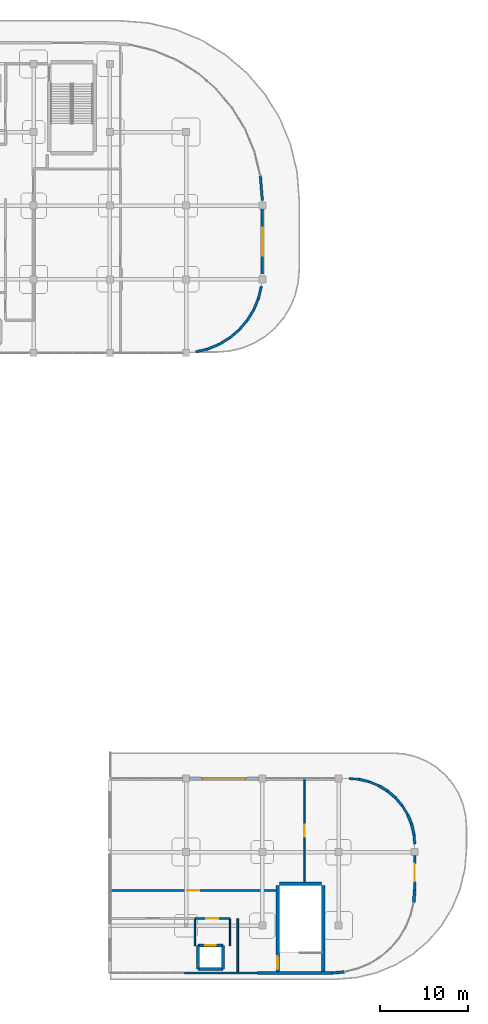
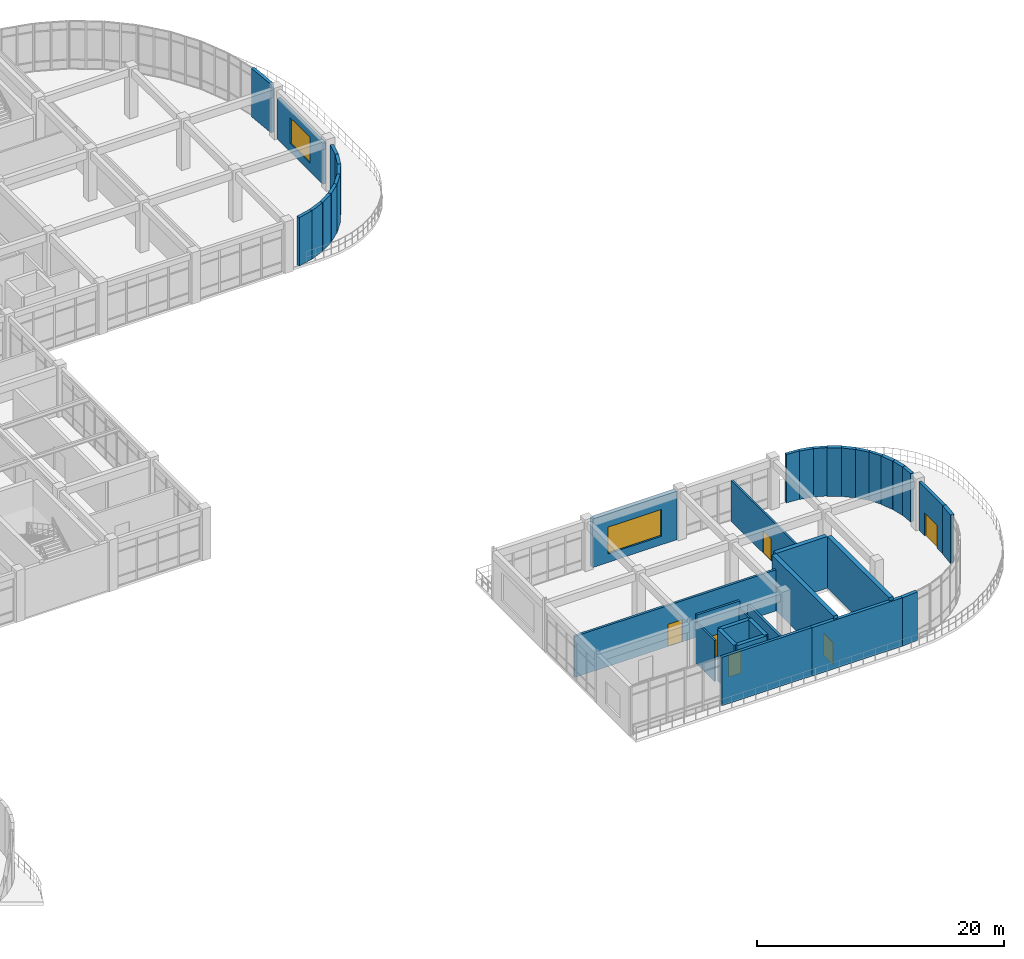
# One storey, part 84 of 96: 39 walls, 6 doors, 2 windows, 8 openings.
"""IFC4 building model written with IfcOpenShell, lengths in metres."""

from ifc_helpers import new_model, si_unit, derived_unit, direction, frame, frame_2d, origin, place, context, subcontext, project, spatial, rectangle, extrude, material, layer, layer_set, type_object, element, fill, save


model = new_model("IFC4")

# Units and contexts
model_context = context("Model", 3, precision=1e-05, world=origin(), true_north=direction((0.0, 1.0)))
body_context = subcontext(model_context, "Body", "Model", "MODEL_VIEW")
ifc_project = project(units=[si_unit("LENGTHUNIT", "METRE"), si_unit("AREAUNIT", "SQUARE_METRE"), si_unit("VOLUMEUNIT", "CUBIC_METRE"), si_unit("PLANEANGLEUNIT", "RADIAN"), si_unit("MASSUNIT", "GRAM", prefix="KILO"), derived_unit("THERMALTRANSMITTANCEUNIT", [(si_unit("MASSUNIT", "GRAM", prefix="KILO"), 1), (si_unit("TIMEUNIT", "SECOND"), -3), (si_unit("THERMODYNAMICTEMPERATUREUNIT", "KELVIN"), -1)])], contexts=[model_context])

# Site, building, storey
site_placement = place(None, origin())
site = spatial("IfcSite", under=ifc_project, at=site_placement, CompositionType="ELEMENT")
building_placement = place(site_placement, origin())
building = spatial("IfcBuilding", under=site, at=building_placement, Name="Qinzheling Arcade Emporium", CompositionType="ELEMENT")
storey_placement = place(building_placement, frame((0.0, 0.0, 21.60009765625)))
storey = spatial("IfcBuildingStorey", under=building, at=storey_placement, Name="L05", CompositionType="ELEMENT", Elevation=21.60009765625)

# Wall, opening, door
ifc_material_1 = material(Name="Double-stud acoustic gypsum board partition")
ifc_layer_1 = layer(ifc_material_1, 0.215087890625, Name="Double-stud acoustic gypsum board partition")
ifc_layer_set_1 = layer_set([ifc_layer_1], Name="Double-stud acoustic gypsum board partition")
wall_type_1 = type_object("IfcWallType", Name="Acoustic Corridor Partition Wall 215", PredefinedType="PARTITIONING", material=ifc_layer_set_1)
wall_1_placement = place(storey_placement, frame((131.5, 9.199951171875, 0.0), z_axis=(0.0, 0.0, 1.0), x_axis=(1.0, 0.0, 0.0)))
wall_1 = element("IfcWall", 1, at=wall_1_placement, inside=storey, type_object=wall_type_1, Name="Interior Wall WL-L05-INT-0703", PredefinedType="PARTITIONING", context=body_context, shape_type="SweptSolid", body=[
    extrude(rectangle(XDim=4.0, YDim=0.215087890625, at=frame_2d((2.0, 0.0))), origin(), (0.0, 0.0, 1.0), 4.760009765625),
])
opening_1_placement = place(wall_1_placement, frame((1.324951171875, 0.0, 0.0)))
opening_1 = element("IfcOpeningElement", 2, at=opening_1_placement, cuts=wall_1, Name="Opening FD05", PredefinedType="OPENING", context=body_context, shape_type="SweptSolid", body=[
    extrude(rectangle(XDim=1.35009765625, YDim=2.199951171875, at=frame_2d((0.675048828125, 1.10009765625))), frame((0.0, 0.11767578125, 0.0), z_axis=(0.0, -1.0, 0.0), x_axis=(1.0, 0.0, 0.0)), (0.0, 0.0, 1.0), 0.235107421875),
])
ifc_material_2 = material(Name="Class B fire-rated stainless-clad door")
door_type_1 = type_object("IfcDoorType", Name="Kitchen Fire-Rated Service Door 1350x2200", OperationType="NOTDEFINED", PredefinedType="DOOR", material=ifc_material_2)
door_1_placement = place(opening_1_placement, origin())
door_1 = element("IfcDoor", 3, at=door_1_placement, inside=storey, type_object=door_type_1, Name="FD05 Interior Door DR-L05-INT-0199", OperationType="SINGLE_SWING_RIGHT", OverallHeight=2.199951171875, OverallWidth=1.35009765625, PredefinedType="DOOR", context=body_context, shape_type="SweptSolid", body=[
    extrude(rectangle(XDim=1.35009765625, YDim=2.199951171875, at=frame_2d((0.675048828125, 1.10009765625))), frame((0.0, 0.02490234375, 0.0), z_axis=(0.0, -1.0, 0.0), x_axis=(1.0, 0.0, 0.0)), (0.0, 0.0, 1.0), 0.050048828125),
])
fill(opening_1, door_1)

wall_2_placement = place(storey_placement, frame((121.89990234375, 12.39990234375, 0.0), z_axis=(0.0, 0.0, 1.0), x_axis=(1.0, 0.0, 0.0)))
wall_2 = element("IfcWall", 4, at=wall_2_placement, inside=storey, type_object=wall_type_1, Name="Interior Wall WL-L05-INT-0724", PredefinedType="PARTITIONING", context=body_context, shape_type="SweptSolid", body=[
    extrude(rectangle(XDim=18.85009765625, YDim=0.215087890625, at=frame_2d((9.425048828125, 0.0))), origin(), (0.0, 0.0, 1.0), 4.059814453125),
])
opening_2_placement = place(wall_2_placement, frame((8.75, 0.0, 0.0)))
opening_2 = element("IfcOpeningElement", 5, at=opening_2_placement, cuts=wall_2, Name="Opening FD05", PredefinedType="OPENING", context=body_context, shape_type="SweptSolid", body=[
    extrude(rectangle(XDim=1.35009765625, YDim=2.199951171875, at=frame_2d((0.675048828125, 1.10009765625))), frame((0.0, 0.11767578125, 0.0), z_axis=(0.0, -1.0, 0.0), x_axis=(1.0, 0.0, 0.0)), (0.0, 0.0, 1.0), 0.235107421875),
])
door_2_placement = place(opening_2_placement, origin())
door_2 = element("IfcDoor", 6, at=door_2_placement, inside=storey, type_object=door_type_1, Name="FD05 Interior Door DR-L05-INT-0219", OperationType="SINGLE_SWING_RIGHT", OverallHeight=2.199951171875, OverallWidth=1.35009765625, PredefinedType="DOOR", context=body_context, shape_type="SweptSolid", body=[
    extrude(rectangle(XDim=1.35009765625, YDim=2.199951171875, at=frame_2d((0.675048828125, 1.10009765625))), frame((0.0, 0.02490234375, 0.0), z_axis=(0.0, -1.0, 0.0), x_axis=(1.0, 0.0, 0.0)), (0.0, 0.0, 1.0), 0.050048828125),
])
fill(opening_2, door_2)

# Walls
wall_3_placement = place(storey_placement, frame((136.39990234375, 3.135009765625, 0.0), z_axis=(0.0, 0.0, 1.0), x_axis=(0.0, 1.0, 0.0)))
element("IfcWall", 7, at=wall_3_placement, inside=storey, type_object=wall_type_1, Name="Interior Wall WL-L05-INT-0726", PredefinedType="PARTITIONING", context=body_context, shape_type="SweptSolid", body=[
    extrude(rectangle(XDim=6.06494140625, YDim=0.215087890625, at=frame_2d((3.032470703125, 0.0))), origin(), (0.0, 0.0, 1.0), 4.059814453125),
])
ifc_material_3 = material(Name="Insulated aluminium-clad spandrel wall", Category="aluminium")
ifc_layer_2 = layer(ifc_material_3, 0.260009765625, Name="Insulated aluminium-clad spandrel wall", Category="aluminium")
ifc_layer_set_2 = layer_set([ifc_layer_2], Name="Insulated aluminium-clad spandrel wall")
wall_type_2 = type_object("IfcWallType", Name="Arcade Clerestory Spandrel Wall 260", PredefinedType="STANDARD", material=ifc_layer_set_2)
wall_4_placement = place(storey_placement, frame((151.41796875, 24.8330078125, 0.0), z_axis=(0.0, 0.0, 1.0), x_axis=(0.923958668987, -0.382492324111, 0.0)))
element("IfcWall", 8, at=wall_4_placement, inside=storey, type_object=wall_type_2, Name="Exterior Wall WL-L05-EW-0247", PredefinedType="STANDARD", context=body_context, shape_type="SweptSolid", body=[
    extrude(rectangle(XDim=1.17626953125, YDim=0.260009765625, at=frame_2d((0.588134765625, 0.0))), origin(), (0.0, 0.0, 1.0), 4.789794921875),
])
wall_5_placement = place(storey_placement, frame((155.16796875, 22.10791015625, 0.0), z_axis=(0.0, 0.0, 1.0), x_axis=(0.522742095508, -0.852490880646, 0.0)))
element("IfcWall", 9, at=wall_5_placement, inside=storey, type_object=wall_type_2, Name="Exterior Wall WL-L05-EW-0251", PredefinedType="STANDARD", context=body_context, shape_type="SweptSolid", body=[
    extrude(rectangle(XDim=1.176513671875, YDim=0.260009765625, at=frame_2d((0.58837890625, 0.0))), origin(), (0.0, 0.0, 1.0), 4.789794921875),
])

# Wall, opening, door
wall_6_placement = place(storey_placement, frame((156.60009765625, 16.39794921875, 0.0), z_axis=(0.0, 0.0, 1.0), x_axis=(0.0, -1.0, 0.0)))
wall_6 = element("IfcWall", 10, at=wall_6_placement, inside=storey, type_object=wall_type_2, Name="Exterior Wall WL-L05-EW-0255", PredefinedType="STANDARD", context=body_context, shape_type="SweptSolid", body=[
    extrude(rectangle(XDim=3.89794921875, YDim=0.260009765625, at=frame_2d((1.948974609375, 0.0))), origin(), (0.0, 0.0, 1.0), 4.789794921875),
])
opening_3_placement = place(wall_6_placement, frame((0.948974609375, 0.0, 0.0)))
opening_3 = element("IfcOpeningElement", 11, at=opening_3_placement, cuts=wall_6, Name="Opening TD02", PredefinedType="OPENING", context=body_context, shape_type="SweptSolid", body=[
    extrude(rectangle(XDim=2.0, YDim=2.25, at=frame_2d((1.0, 1.125))), frame((0.0, 0.14013671875, 0.0), z_axis=(0.0, -1.0, 0.0), x_axis=(1.0, 0.0, 0.0)), (0.0, 0.0, 1.0), 0.280029296875),
])
ifc_material_4 = material(Name="Thermally broken aluminium and double glass", Category="aluminium")
door_type_2 = type_object("IfcDoorType", Name="Food Hall Terrace Double Door 2000x2250", OperationType="DOUBLE_DOOR_SINGLE_SWING", PredefinedType="DOOR", material=ifc_material_4)
door_3_placement = place(opening_3_placement, origin())
door_3 = element("IfcDoor", 12, at=door_3_placement, inside=storey, type_object=door_type_2, Name="TD02 Exterior Door DR-L05-EXT-036", OperationType="DOUBLE_DOOR_SINGLE_SWING", OverallHeight=2.25, OverallWidth=2.0, PredefinedType="DOOR", context=body_context, shape_type="SweptSolid", body=[
    extrude(rectangle(XDim=2.0, YDim=2.25, at=frame_2d((1.0, 1.125))), frame((0.0, 0.02490234375, 0.0), z_axis=(0.0, -1.0, 0.0), x_axis=(1.0, 0.0, 0.0)), (0.0, 0.0, 1.0), 0.050048828125),
])
fill(opening_3, door_3)

# Walls
wall_7_placement = place(storey_placement, frame((138.6650390625, 3.0, 0.0), z_axis=(0.0, 0.0, 1.0), x_axis=(-1.0, 0.0, 0.0)))
element("IfcWall", 13, at=wall_7_placement, inside=storey, type_object=wall_type_2, Name="Exterior Wall WL-L05-EW-0259", PredefinedType="STANDARD", context=body_context, shape_type="SweptSolid", body=[
    extrude(rectangle(XDim=8.429931640625, YDim=0.260009765625, at=frame_2d((4.21484375, 0.0))), origin(), (0.0, 0.0, 1.0), 4.789794921875),
])
wall_8_placement = place(storey_placement, frame((149.10009765625, 25.199951171875, 0.0), z_axis=(0.0, 0.0, 1.0), x_axis=(0.996934887725, -0.078235731197, 0.0)))
element("IfcWall", 14, at=wall_8_placement, inside=storey, type_object=wall_type_2, Name="Exterior Wall WL-L05-EW-0263", PredefinedType="STANDARD", context=body_context, shape_type="SweptSolid", body=[
    extrude(rectangle(XDim=1.176513671875, YDim=0.260009765625, at=frame_2d((0.58837890625, 0.0))), origin(), (0.0, 0.0, 1.0), 4.789794921875),
])
ifc_material_5 = material(Name="Lightweight atelier partition")
ifc_layer_3 = layer(ifc_material_5, 0.14990234375, Name="Lightweight atelier partition")
ifc_layer_set_3 = layer_set([ifc_layer_3], Name="Lightweight atelier partition")
wall_type_3 = type_object("IfcWallType", Name="Atelier Partition Wall 150", PredefinedType="PARTITIONING", material=ifc_layer_set_3)
wall_9_placement = place(storey_placement, frame((135.5, 9.199951171875, 0.0), z_axis=(0.0, 0.0, 1.0), x_axis=(0.0, -1.0, 0.0)))
element("IfcWall", 15, at=wall_9_placement, inside=storey, type_object=wall_type_3, Name="Interior Wall WL-L05-INT-0705", PredefinedType="PARTITIONING", context=body_context, shape_type="SweptSolid", body=[
    extrude(rectangle(XDim=3.070068359375, YDim=0.14990234375, at=frame_2d((1.53515625, 0.0))), origin(), (0.0, 0.0, 1.0), 4.059814453125),
])
ifc_material_6 = material(Name="Celadon glazed terracotta insulated spandrel", Category="masonry")
ifc_layer_4 = layer(ifc_material_6, 0.340087890625, Name="Celadon glazed terracotta insulated spandrel", Category="masonry")
ifc_layer_set_4 = layer_set([ifc_layer_4], Name="Celadon glazed terracotta insulated spandrel")
wall_type_4 = type_object("IfcWallType", Name="Celadon Spandrel Infill Wall 340", PredefinedType="STANDARD", material=ifc_layer_set_4)
wall_10_placement = place(storey_placement, frame((152.5048828125, 24.383056640625, 0.0), z_axis=(0.0, 0.0, 1.0), x_axis=(0.852547572286, -0.522649631197, 0.0)))
element("IfcWall", 16, at=wall_10_placement, inside=storey, type_object=wall_type_4, Name="Exterior Wall WL-L05-EW-0248", PredefinedType="STANDARD", context=body_context, shape_type="SweptSolid", body=[
    extrude(rectangle(XDim=1.1767578125, YDim=0.340087890625, at=frame_2d((0.58837890625, 0.0))), origin(), (0.0, 0.0, 1.0), 4.789794921875),
])
wall_11_placement = place(storey_placement, frame((155.782958984375, 21.10498046875, 0.0), z_axis=(0.0, 0.0, 1.0), x_axis=(0.382492324111, -0.923958668987, 0.0)))
element("IfcWall", 17, at=wall_11_placement, inside=storey, type_object=wall_type_4, Name="Exterior Wall WL-L05-EW-0252", PredefinedType="STANDARD", context=body_context, shape_type="SweptSolid", body=[
    extrude(rectangle(XDim=1.17626953125, YDim=0.340087890625, at=frame_2d((0.588134765625, 0.0))), origin(), (0.0, 0.0, 1.0), 4.789794921875),
])
wall_12_placement = place(storey_placement, frame((156.60009765625, 12.5, 0.0), z_axis=(0.0, 0.0, 1.0), x_axis=(-0.078612537857, -0.996905245694, 0.0)))
element("IfcWall", 18, at=wall_12_placement, inside=storey, type_object=wall_type_4, Name="Exterior Wall WL-L05-EW-0256", PredefinedType="STANDARD", context=body_context, shape_type="SweptSolid", body=[
    extrude(rectangle(XDim=1.49072265625, YDim=0.340087890625, at=frame_2d((0.745361328125, 0.0))), origin(), (0.0, 0.0, 1.0), 4.789794921875),
])
ifc_material_7 = material(Name="Glazed cream terracotta insulated wall", Category="masonry")
ifc_layer_5 = layer(ifc_material_7, 0.320068359375, Name="Glazed cream terracotta insulated wall", Category="masonry")
ifc_layer_set_5 = layer_set([ifc_layer_5], Name="Glazed cream terracotta insulated wall")
wall_type_5 = type_object("IfcWallType", Name="Chicago Frame Infill Wall 320", PredefinedType="STANDARD", material=ifc_layer_set_5)
wall_13_placement = place(storey_placement, frame((153.508056640625, 23.76806640625, 0.0), z_axis=(0.0, 0.0, 1.0), x_axis=(0.760104826794, -0.649800471133, 0.0)))
element("IfcWall", 19, at=wall_13_placement, inside=storey, type_object=wall_type_5, Name="Exterior Wall WL-L05-EW-0249", PredefinedType="STANDARD", context=body_context, shape_type="SweptSolid", body=[
    extrude(rectangle(XDim=1.177490234375, YDim=0.320068359375, at=frame_2d((0.5888671875, 0.0))), origin(), (0.0, 0.0, 1.0), 4.789794921875),
])
wall_14_placement = place(storey_placement, frame((156.23291015625, 20.01806640625, 0.0), z_axis=(0.0, 0.0, 1.0), x_axis=(0.233647380769, -0.972321398232, 0.0)))
element("IfcWall", 20, at=wall_14_placement, inside=storey, type_object=wall_type_5, Name="Exterior Wall WL-L05-EW-0253", PredefinedType="STANDARD", context=body_context, shape_type="SweptSolid", body=[
    extrude(rectangle(XDim=1.177734375, YDim=0.320068359375, at=frame_2d((0.5888671875, 0.0))), origin(), (0.0, 0.0, 1.0), 4.789794921875),
])
wall_15_placement = place(storey_placement, frame((148.5859375, 3.116943359375, 0.0), z_axis=(0.0, 0.0, 1.0), x_axis=(-0.996917059385, -0.078462581572, 0.0)))
element("IfcWall", 21, at=wall_15_placement, inside=storey, type_object=wall_type_5, Name="Exterior Wall WL-L05-EW-0257", PredefinedType="STANDARD", context=body_context, shape_type="SweptSolid", body=[
    extrude(rectangle(XDim=1.490478515625, YDim=0.320068359375, at=frame_2d((0.7451171875, 0.0))), origin(), (0.0, 0.0, 1.0), 4.789794921875),
])

# Wall, opening, window
ifc_material_8 = material(Name="Glazed cream terracotta on Concrete C40", Category="masonry")
ifc_layer_6 = layer(ifc_material_8, 0.3798828125, Name="Glazed cream terracotta on Concrete C40", Category="masonry")
ifc_layer_set_6 = layer_set([ifc_layer_6], Name="Glazed cream terracotta on Concrete C40")
wall_type_6 = type_object("IfcWallType", Name="Glazed Cream Terracotta Structural Wall 380", PredefinedType="STANDARD", material=ifc_layer_set_6)
wall_16_placement = place(storey_placement, frame((130.902099609375, 25.199951171875, 0.0), z_axis=(0.0, 0.0, 1.0), x_axis=(1.0, 0.0, 0.0)))
wall_16 = element("IfcWall", 22, at=wall_16_placement, inside=storey, type_object=wall_type_6, Name="Exterior Wall WL-L05-EW-0262", PredefinedType="STANDARD", context=body_context, shape_type="SweptSolid", body=[
    extrude(rectangle(XDim=7.89599609375, YDim=0.3798828125, at=frame_2d((3.947998046875, 0.0))), origin(), (0.0, 0.0, 1.0), 4.789794921875),
])
opening_4_placement = place(wall_16_placement, frame((1.447998046875, 0.0, 0.85009765625)))
opening_4 = element("IfcOpeningElement", 23, at=opening_4_placement, cuts=wall_16, Name="Opening WN03", PredefinedType="OPENING", context=body_context, shape_type="SweptSolid", body=[
    extrude(rectangle(XDim=5.0, YDim=2.64990234375, at=frame_2d((2.5, 1.324951171875))), frame((0.0, 0.199951171875, 0.0), z_axis=(0.0, -1.0, 0.0), x_axis=(1.0, 0.0, 0.0)), (0.0, 0.0, 1.0), 0.39990234375),
])
ifc_material_9 = material(Name="Thermally broken aluminium frame with solar-control double glazing", Category="aluminium")
window_type_1 = type_object("IfcWindowType", Name="Chicago Tripartite Window 5000x2650", PartitioningType="TRIPLE_PANEL_VERTICAL", PredefinedType="WINDOW", material=ifc_material_9)
window_1_placement = place(opening_4_placement, origin())
window_1 = element("IfcWindow", 24, at=window_1_placement, inside=storey, type_object=window_type_1, Name="WN03 Window WN-L05-0068", OverallHeight=2.64990234375, OverallWidth=5.0, PartitioningType="TRIPLE_PANEL_VERTICAL", PredefinedType="WINDOW", context=body_context, shape_type="SweptSolid", body=[
    extrude(rectangle(XDim=5.0, YDim=2.64990234375, at=frame_2d((2.5, 1.324951171875))), frame((0.0, 0.030029296875, 0.0), z_axis=(0.0, -1.0, 0.0), x_axis=(1.0, 0.0, 0.0)), (0.0, 0.0, 1.0), 0.06005859375),
])
fill(opening_4, window_1)

# Wall, opening, door
ifc_material_10 = material(Name="Fire-rated calcium silicate shaft wall")
ifc_layer_7 = layer(ifc_material_10, 0.169921875, Name="Fire-rated calcium silicate shaft wall")
ifc_layer_set_7 = layer_set([ifc_layer_7], Name="Fire-rated calcium silicate shaft wall")
wall_type_7 = type_object("IfcWallType", Name="Kitchen Exhaust Riser Shaft Wall 170", PredefinedType="MOVABLE", material=ifc_layer_set_7)
wall_17_placement = place(storey_placement, frame((144.0, 25.10009765625, 0.0), z_axis=(0.0, 0.0, 1.0), x_axis=(0.0, -1.0, 0.0)))
wall_17 = element("IfcWall", 25, at=wall_17_placement, inside=storey, type_object=wall_type_7, Name="Interior Wall WL-L05-INT-0784", PredefinedType="MOVABLE", context=body_context, shape_type="SweptSolid", body=[
    extrude(rectangle(XDim=11.695068359375, YDim=0.169921875, at=frame_2d((5.84765625, 0.0))), origin(), (0.0, 0.0, 1.0), 4.059814453125),
])
opening_5_placement = place(wall_17_placement, frame((5.173095703125, 0.0, 0.0)))
opening_5 = element("IfcOpeningElement", 26, at=opening_5_placement, cuts=wall_17, Name="Opening FD05", PredefinedType="OPENING", context=body_context, shape_type="SweptSolid", body=[
    extrude(rectangle(XDim=1.35009765625, YDim=2.199951171875, at=frame_2d((0.675048828125, 1.10009765625))), frame((0.0, 0.094970703125, 0.0), z_axis=(0.0, -1.0, 0.0), x_axis=(1.0, 0.0, 0.0)), (0.0, 0.0, 1.0), 0.18994140625),
])
door_4_placement = place(opening_5_placement, origin())
door_4 = element("IfcDoor", 27, at=door_4_placement, inside=storey, type_object=door_type_1, Name="FD05 Interior Door DR-L05-INT-0221", OperationType="SINGLE_SWING_RIGHT", OverallHeight=2.199951171875, OverallWidth=1.35009765625, PredefinedType="DOOR", context=body_context, shape_type="SweptSolid", body=[
    extrude(rectangle(XDim=1.35009765625, YDim=2.199951171875, at=frame_2d((0.675048828125, 1.10009765625))), frame((0.0, 0.02490234375, 0.0), z_axis=(0.0, -1.0, 0.0), x_axis=(1.0, 0.0, 0.0)), (0.0, 0.0, 1.0), 0.050048828125),
])
fill(opening_5, door_4)

# Wall
ifc_material_11 = material(Name="Buff glazed terracotta insulated wall", Category="masonry")
ifc_layer_8 = layer(ifc_material_11, 0.2900390625, Name="Buff glazed terracotta insulated wall", Category="masonry")
ifc_layer_set_8 = layer_set([ifc_layer_8], Name="Buff glazed terracotta insulated wall")
wall_type_8 = type_object("IfcWallType", Name="Office Bar Terracotta Wall 290", PredefinedType="STANDARD", material=ifc_layer_set_8)
wall_18_placement = place(storey_placement, frame((138.97802734375, 94.01611328125, 0.0), z_axis=(0.0, 0.0, 1.0), x_axis=(0.078560089002, -0.996909380243, 0.0)))
element("IfcWall", 28, at=wall_18_placement, inside=storey, type_object=wall_type_8, Name="Exterior Wall WL-L05-EW-0292", PredefinedType="STANDARD", context=body_context, shape_type="SweptSolid", body=[
    extrude(rectangle(XDim=2.824951171875, YDim=0.2900390625, at=frame_2d((1.41259765625, 0.0))), origin(), (0.0, 0.0, 1.0), 4.789794921875),
])

# Wall, opening, window
wall_19_placement = place(storey_placement, frame((139.199951171875, 90.197998046875, 0.0), z_axis=(0.0, 0.0, 1.0), x_axis=(0.0, -1.0, 0.0)))
wall_19 = element("IfcWall", 29, at=wall_19_placement, inside=storey, type_object=wall_type_8, Name="Exterior Wall WL-L05-EW-0293", PredefinedType="STANDARD", context=body_context, shape_type="SweptSolid", body=[
    extrude(rectangle(XDim=7.39794921875, YDim=0.2900390625, at=frame_2d((3.698974609375, 0.0))), origin(), (0.0, 0.0, 1.0), 4.054931640625),
])
opening_6_placement = place(wall_19_placement, frame((2.09912109375, 0.0, 0.85009765625)))
opening_6 = element("IfcOpeningElement", 30, at=opening_6_placement, cuts=wall_19, Name="Opening WN34", PredefinedType="OPENING", context=body_context, shape_type="SweptSolid", body=[
    extrude(rectangle(XDim=3.199951171875, YDim=2.550048828125, at=frame_2d((1.60009765625, 1.27490234375))), frame((0.0, 0.155029296875, 0.0), z_axis=(0.0, -1.0, 0.0), x_axis=(1.0, 0.0, 0.0)), (0.0, 0.0, 1.0), 0.31005859375),
])
window_type_2 = type_object("IfcWindowType", Name="Chicago Tripartite Window 3200x2550", PartitioningType="TRIPLE_PANEL_VERTICAL", PredefinedType="WINDOW", material=ifc_material_9)
window_2_placement = place(opening_6_placement, origin())
window_2 = element("IfcWindow", 31, at=window_2_placement, inside=storey, type_object=window_type_2, Name="WN34 Window WN-L05-0075", OverallHeight=2.550048828125, OverallWidth=3.199951171875, PartitioningType="TRIPLE_PANEL_VERTICAL", PredefinedType="WINDOW", context=body_context, shape_type="SweptSolid", body=[
    extrude(rectangle(XDim=3.199951171875, YDim=2.550048828125, at=frame_2d((1.60009765625, 1.27490234375))), frame((0.0, 0.030029296875, 0.0), z_axis=(0.0, -1.0, 0.0), x_axis=(1.0, 0.0, 0.0)), (0.0, 0.0, 1.0), 0.06005859375),
])
fill(opening_6, window_2)

# Walls
wall_20_placement = place(storey_placement, frame((139.089111328125, 81.39208984375, 0.0), z_axis=(0.0, 0.0, 1.0), x_axis=(-0.233085191804, -0.972456319514, 0.0)))
element("IfcWall", 32, at=wall_20_placement, inside=storey, type_object=wall_type_8, Name="Exterior Wall WL-L05-EW-0294", PredefinedType="STANDARD", context=body_context, shape_type="SweptSolid", body=[
    extrude(rectangle(XDim=1.411865234375, YDim=0.2900390625, at=frame_2d((0.7060546875, 0.0))), origin(), (0.0, 0.0, 1.0), 4.789794921875),
])
wall_21_placement = place(storey_placement, frame((138.760009765625, 80.01904296875, 0.0), z_axis=(0.0, 0.0, 1.0), x_axis=(-0.382982650469, -0.92375553554, 0.0)))
element("IfcWall", 33, at=wall_21_placement, inside=storey, type_object=wall_type_8, Name="Exterior Wall WL-L05-EW-0295", PredefinedType="STANDARD", context=body_context, shape_type="SweptSolid", body=[
    extrude(rectangle(XDim=1.41259765625, YDim=0.2900390625, at=frame_2d((0.706298828125, 0.0))), origin(), (0.0, 0.0, 1.0), 4.789794921875),
])
wall_22_placement = place(storey_placement, frame((138.218994140625, 78.714111328125, 0.0), z_axis=(0.0, 0.0, 1.0), x_axis=(-0.522582326058, -0.852588829678, 0.0)))
element("IfcWall", 34, at=wall_22_placement, inside=storey, type_object=wall_type_8, Name="Exterior Wall WL-L05-EW-0296", PredefinedType="STANDARD", context=body_context, shape_type="SweptSolid", body=[
    extrude(rectangle(XDim=1.412353515625, YDim=0.2900390625, at=frame_2d((0.7060546875, 0.0))), origin(), (0.0, 0.0, 1.0), 4.789794921875),
])
for number, where, z_axis, x_axis, name in (
    (35, (137.48095703125, 77.510009765625, 0.0), (0.0, 0.0, 1.0), (-0.649337989494, -0.760499950954, 0.0), "Exterior Wall WL-L05-EW-0297"),
    (36, (136.56396484375, 76.43603515625, 0.0), (0.0, 0.0, 1.0), (-0.760499950954, -0.649337989494, 0.0), "Exterior Wall WL-L05-EW-0298"),
):
    element("IfcWall", number, at=place(storey_placement, frame(where, z_axis=z_axis, x_axis=x_axis)), inside=storey, type_object=wall_type_8, Name=name, PredefinedType="STANDARD", context=body_context, shape_type="SweptSolid", body=[
        extrude(rectangle(XDim=1.412109375, YDim=0.2900390625, at=frame_2d((0.7060546875, 0.0))), origin(), (0.0, 0.0, 1.0), 4.789794921875),
    ])
wall_23_placement = place(storey_placement, frame((135.489990234375, 75.51904296875, 0.0), z_axis=(0.0, 0.0, 1.0), x_axis=(-0.852588829678, -0.522582326058, 0.0)))
element("IfcWall", 37, at=wall_23_placement, inside=storey, type_object=wall_type_8, Name="Exterior Wall WL-L05-EW-0299", PredefinedType="STANDARD", context=body_context, shape_type="SweptSolid", body=[
    extrude(rectangle(XDim=1.412353515625, YDim=0.2900390625, at=frame_2d((0.7060546875, 0.0))), origin(), (0.0, 0.0, 1.0), 4.789794921875),
])
wall_24_placement = place(storey_placement, frame((134.285888671875, 74.781005859375, 0.0), z_axis=(0.0, 0.0, 1.0), x_axis=(-0.92375553554, -0.382982650469, 0.0)))
element("IfcWall", 38, at=wall_24_placement, inside=storey, type_object=wall_type_8, Name="Exterior Wall WL-L05-EW-0300", PredefinedType="STANDARD", context=body_context, shape_type="SweptSolid", body=[
    extrude(rectangle(XDim=1.41259765625, YDim=0.2900390625, at=frame_2d((0.706298828125, 0.0))), origin(), (0.0, 0.0, 1.0), 4.789794921875),
])
wall_25_placement = place(storey_placement, frame((132.98095703125, 74.239990234375, 0.0), z_axis=(0.0, 0.0, 1.0), x_axis=(-0.972456319514, -0.233085191804, 0.0)))
element("IfcWall", 39, at=wall_25_placement, inside=storey, type_object=wall_type_8, Name="Exterior Wall WL-L05-EW-0301", PredefinedType="STANDARD", context=body_context, shape_type="SweptSolid", body=[
    extrude(rectangle(XDim=1.411865234375, YDim=0.2900390625, at=frame_2d((0.7060546875, 0.0))), origin(), (0.0, 0.0, 1.0), 4.789794921875),
])

# Wall, opening, door
ifc_material_12 = material(Name="Concrete C40", Category="concrete")
ifc_layer_9 = layer(ifc_material_12, 0.35009765625, Name="Concrete C40", Category="concrete")
ifc_layer_set_9 = layer_set([ifc_layer_9], Name="Concrete C40")
wall_type_9 = type_object("IfcWallType", Name="RC Lift Shaft Shear Wall 350 C40", PredefinedType="SHEAR", material=ifc_layer_set_9)
wall_26_placement = place(storey_placement, frame((131.875, 6.125, 0.0), z_axis=(0.0, 0.0, 1.0), x_axis=(1.0, 0.0, 0.0)))
wall_26 = element("IfcWall", 40, at=wall_26_placement, inside=storey, type_object=wall_type_9, Name="Lift Shaft Wall WL-L05-LFT-LP05-N", PredefinedType="SHEAR", context=body_context, shape_type="SweptSolid", body=[
    extrude(rectangle(XDim=2.85009765625, YDim=0.35009765625, at=frame_2d((1.425048828125, 0.0))), origin(), (0.0, 0.0, 1.0), 5.099853515625),
])
opening_7_placement = place(wall_26_placement, frame((0.824951171875, 0.0, 0.0)))
opening_7 = element("IfcOpeningElement", 41, at=opening_7_placement, cuts=wall_26, Name="Opening LD02", PredefinedType="OPENING", context=body_context, shape_type="SweptSolid", body=[
    extrude(rectangle(XDim=1.199951171875, YDim=2.199951171875, at=frame_2d((0.60009765625, 1.10009765625))), frame((0.0, 0.18505859375, 0.0), z_axis=(0.0, -1.0, 0.0), x_axis=(1.0, 0.0, 0.0)), (0.0, 0.0, 1.0), 0.3701171875),
])
ifc_material_13 = material(Name="Brushed bronze stainless sliding lift door")
door_type_3 = type_object("IfcDoorType", Name="Passenger Lift Sliding Landing Door 1200x2200", OperationType="DOUBLE_DOOR_SLIDING", PredefinedType="DOOR", material=ifc_material_13)
door_5_placement = place(opening_7_placement, origin())
door_5 = element("IfcDoor", 42, at=door_5_placement, inside=storey, type_object=door_type_3, Name="LD02 Lift Landing Door LP05 L05", OperationType="DOUBLE_DOOR_SLIDING", OverallHeight=2.199951171875, OverallWidth=1.199951171875, PredefinedType="DOOR", context=body_context, shape_type="SweptSolid", body=[
    extrude(rectangle(XDim=1.199951171875, YDim=2.199951171875, at=frame_2d((0.60009765625, 1.10009765625))), frame((0.0, 0.02490234375, 0.0), z_axis=(0.0, -1.0, 0.0), x_axis=(1.0, 0.0, 0.0)), (0.0, 0.0, 1.0), 0.050048828125),
])
fill(opening_7, door_5)

# Walls
wall_27_placement = place(storey_placement, frame((134.72509765625, 3.47509765625, 0.0), z_axis=(0.0, 0.0, 1.0), x_axis=(-1.0, 0.0, 0.0)))
element("IfcWall", 43, at=wall_27_placement, inside=storey, type_object=wall_type_9, Name="Lift Shaft Wall WL-L05-LFT-LP05-S", PredefinedType="SHEAR", context=body_context, shape_type="SweptSolid", body=[
    extrude(rectangle(XDim=2.85009765625, YDim=0.35009765625, at=frame_2d((1.425048828125, 0.0))), origin(), (0.0, 0.0, 1.0), 5.099853515625),
])
for number, where, z_axis, x_axis, name in (
    (44, (131.875, 3.47509765625, 0.0), (0.0, 0.0, 1.0), (0.0, 1.0, 0.0), "Lift Shaft Wall WL-L05-LFT-LP05-W"),
    (45, (134.72509765625, 6.125, 0.0), (0.0, 0.0, 1.0), (0.0, -1.0, 0.0), "Lift Shaft Wall WL-L05-LFT-LP05-E"),
):
    element("IfcWall", number, at=place(storey_placement, frame(where, z_axis=z_axis, x_axis=x_axis)), inside=storey, type_object=wall_type_9, Name=name, PredefinedType="SHEAR", context=body_context, shape_type="SweptSolid", body=[
        extrude(rectangle(XDim=2.64990234375, YDim=0.35009765625, at=frame_2d((1.324951171875, 0.0))), origin(), (0.0, 0.0, 1.0), 5.099853515625),
    ])

# Wall, opening, door
ifc_material_14 = material(Name="Concrete C50", Category="concrete")
ifc_layer_10 = layer(ifc_material_14, 0.39990234375, Name="Concrete C50", Category="concrete")
ifc_layer_set_10 = layer_set([ifc_layer_10], Name="Concrete C50")
wall_type_10 = type_object("IfcWallType", Name="RC Stair Core Shear Wall 400 C50", PredefinedType="SHEAR", material=ifc_layer_set_10)
wall_28_placement = place(storey_placement, frame((140.955078125, 3.0, 0.0), z_axis=(0.0, 0.0, 1.0), x_axis=(0.0, 1.0, 0.0)))
wall_28 = element("IfcWall", 46, at=wall_28_placement, inside=storey, type_object=wall_type_10, Name="Stair Core Wall WL-L05-ST06-WEST", PredefinedType="SHEAR", context=body_context, shape_type="SweptSolid", body=[
    extrude(rectangle(XDim=10.0, YDim=0.39990234375, at=frame_2d((5.0, 0.0))), origin(), (0.0, 0.0, 1.0), 5.099853515625),
])
opening_8_placement = place(wall_28_placement, frame((0.409912109375, 0.0, 0.0)))
opening_8 = element("IfcOpeningElement", 47, at=opening_8_placement, cuts=wall_28, Name="Opening FD01", PredefinedType="OPENING", context=body_context, shape_type="SweptSolid", body=[
    extrude(rectangle(XDim=1.5, YDim=2.199951171875, at=frame_2d((0.75, 1.10009765625))), frame((0.0, 0.2099609375, 0.0), z_axis=(0.0, -1.0, 0.0), x_axis=(1.0, 0.0, 0.0)), (0.0, 0.0, 1.0), 0.419921875),
])
ifc_material_15 = material(Name="Class A fire-rated steel double door", Category="steel")
door_type_4 = type_object("IfcDoorType", Name="Stairwell Smoke-Proof Fire Door 1500x2200", OperationType="DOUBLE_DOOR_SINGLE_SWING", PredefinedType="DOOR", material=ifc_material_15)
door_6_placement = place(opening_8_placement, origin())
door_6 = element("IfcDoor", 48, at=door_6_placement, inside=storey, type_object=door_type_4, Name="FD01 Stairwell Fire Door DR-L05-ST06-FD", OperationType="DOUBLE_DOOR_SINGLE_SWING", OverallHeight=2.199951171875, OverallWidth=1.5, PredefinedType="DOOR", context=body_context, shape_type="SweptSolid", body=[
    extrude(rectangle(XDim=1.5, YDim=2.199951171875, at=frame_2d((0.75, 1.10009765625))), frame((0.0, 0.02490234375, 0.0), z_axis=(0.0, -1.0, 0.0), x_axis=(1.0, 0.0, 0.0)), (0.0, 0.0, 1.0), 0.050048828125),
])
fill(opening_8, door_6)

# Walls
wall_29_placement = place(storey_placement, frame((146.14501953125, 13.0, 0.0), z_axis=(0.0, 0.0, 1.0), x_axis=(0.0, -1.0, 0.0)))
element("IfcWall", 49, at=wall_29_placement, inside=storey, type_object=wall_type_10, Name="Stair Core Wall WL-L05-ST06-EAST", PredefinedType="SHEAR", context=body_context, shape_type="SweptSolid", body=[
    extrude(rectangle(XDim=10.0, YDim=0.39990234375, at=frame_2d((5.0, 0.0))), origin(), (0.0, 0.0, 1.0), 5.099853515625),
])
wall_30_placement = place(storey_placement, frame((141.155029296875, 13.199951171875, 0.0), z_axis=(0.0, 0.0, 1.0), x_axis=(1.0, 0.0, 0.0)))
element("IfcWall", 50, at=wall_30_placement, inside=storey, type_object=wall_type_10, Name="Stair Core Wall WL-L05-ST06-NORTH", PredefinedType="SHEAR", context=body_context, shape_type="SweptSolid", body=[
    extrude(rectangle(XDim=4.7900390625, YDim=0.39990234375, at=frame_2d((2.39501953125, 0.0))), origin(), (0.0, 0.0, 1.0), 5.099853515625),
])
ifc_material_16 = material(Name="Steel-stud showroom partition", Category="steel")
ifc_layer_11 = layer(ifc_material_16, 0.159912109375, Name="Steel-stud showroom partition", Category="steel")
ifc_layer_set_11 = layer_set([ifc_layer_11], Name="Steel-stud showroom partition")
wall_type_11 = type_object("IfcWallType", Name="Showroom Partition Wall 160", PredefinedType="PARTITIONING", material=ifc_layer_set_11)
wall_31_placement = place(storey_placement, frame((131.5, 6.1298828125, 0.0), z_axis=(0.0, 0.0, 1.0), x_axis=(0.0, 1.0, 0.0)))
element("IfcWall", 51, at=wall_31_placement, inside=storey, type_object=wall_type_11, Name="Interior Wall WL-L05-INT-0704", PredefinedType="PARTITIONING", context=body_context, shape_type="SweptSolid", body=[
    extrude(rectangle(XDim=3.070068359375, YDim=0.159912109375, at=frame_2d((1.53515625, 0.0))), origin(), (0.0, 0.0, 1.0), 4.059814453125),
])
ifc_layer_12 = layer(ifc_material_7, 0.300048828125, Name="Glazed cream terracotta insulated wall", Category="masonry")
ifc_layer_set_12 = layer_set([ifc_layer_12], Name="Glazed cream terracotta insulated wall")
wall_type_12 = type_object("IfcWallType", Name="Terrace Facade Infill Wall 300", PredefinedType="STANDARD", material=ifc_layer_set_12)
wall_32_placement = place(storey_placement, frame((150.27294921875, 25.10791015625, 0.0), z_axis=(0.0, 0.0, 1.0), x_axis=(0.97236847933, -0.233451366253, 0.0)))
element("IfcWall", 52, at=wall_32_placement, inside=storey, type_object=wall_type_12, Name="Exterior Wall WL-L05-EW-0246", PredefinedType="STANDARD", context=body_context, shape_type="SweptSolid", body=[
    extrude(rectangle(XDim=1.177490234375, YDim=0.300048828125, at=frame_2d((0.5888671875, 0.0))), origin(), (0.0, 0.0, 1.0), 4.789794921875),
])
wall_33_placement = place(storey_placement, frame((154.403076171875, 23.0029296875, 0.0), z_axis=(0.0, 0.0, 1.0), x_axis=(0.649680654867, -0.760207239305, 0.0)))
element("IfcWall", 53, at=wall_33_placement, inside=storey, type_object=wall_type_12, Name="Exterior Wall WL-L05-EW-0250", PredefinedType="STANDARD", context=body_context, shape_type="SweptSolid", body=[
    extrude(rectangle(XDim=1.17724609375, YDim=0.300048828125, at=frame_2d((0.588623046875, 0.0))), origin(), (0.0, 0.0, 1.0), 4.789794921875),
])
wall_34_placement = place(storey_placement, frame((156.508056640625, 18.873046875, 0.0), z_axis=(0.0, 0.0, 1.0), x_axis=(0.078219548677, -0.996936157537, 0.0)))
element("IfcWall", 54, at=wall_34_placement, inside=storey, type_object=wall_type_12, Name="Exterior Wall WL-L05-EW-0254", PredefinedType="STANDARD", context=body_context, shape_type="SweptSolid", body=[
    extrude(rectangle(XDim=1.1767578125, YDim=0.300048828125, at=frame_2d((0.58837890625, 0.0))), origin(), (0.0, 0.0, 1.0), 4.789794921875),
])
wall_35_placement = place(storey_placement, frame((147.10009765625, 3.0, 0.0), z_axis=(0.0, 0.0, 1.0), x_axis=(-1.0, 0.0, 0.0)))
element("IfcWall", 55, at=wall_35_placement, inside=storey, type_object=wall_type_12, Name="Exterior Wall WL-L05-EW-0258", PredefinedType="STANDARD", context=body_context, shape_type="SweptSolid", body=[
    extrude(rectangle(XDim=8.43115234375, YDim=0.300048828125, at=frame_2d((4.215576171875, 0.0))), origin(), (0.0, 0.0, 1.0), 4.789794921875),
])

save(model, "model.ifc")
